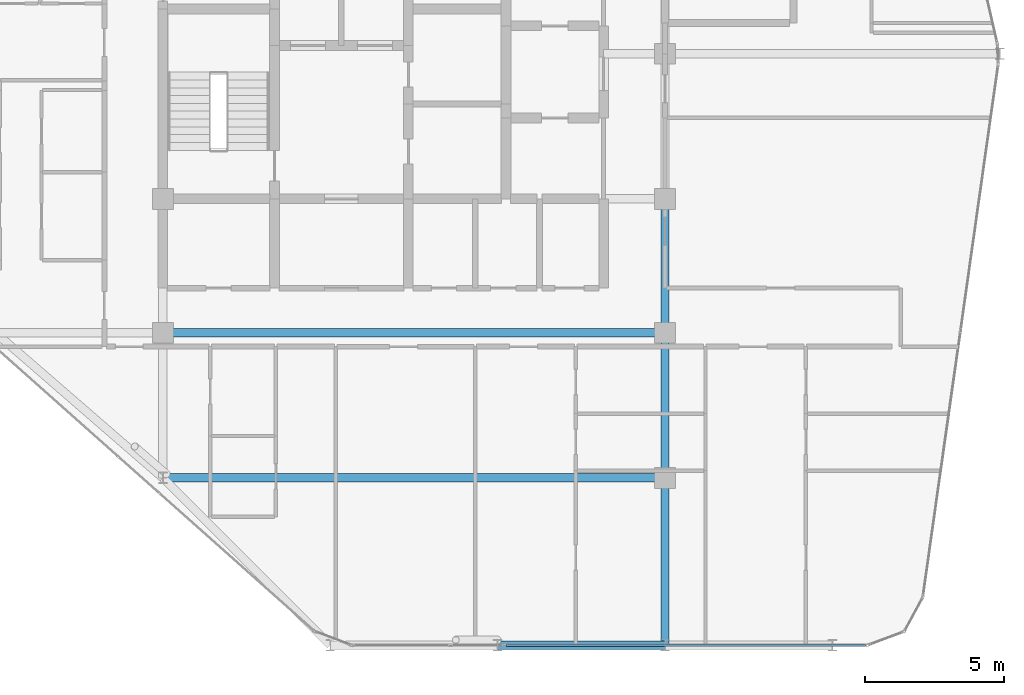
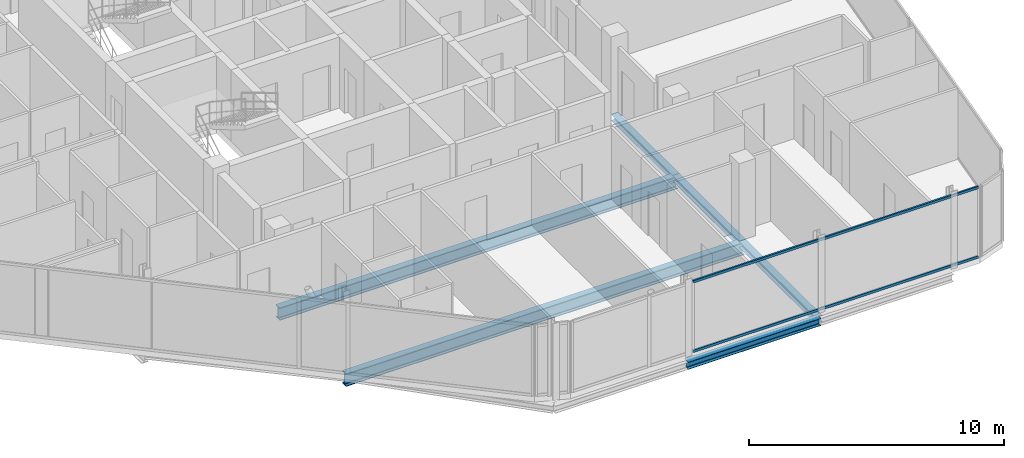
# One storey, part 7 of 27: 6 beams, 2 members, 1 element without a shape of its own.
"""IFC4 building model written with IfcOpenShell, lengths in metres."""

from ifc_helpers import new_model, si_unit, direction, frame, origin, origin_2d, place, context, subcontext, project, spatial, hollow_rectangle, i_section, extrude, material, layer, layer_set, material_profile, profile_set, type_object, element, aggregate, save


model = new_model("IFC4")

# Units and contexts
model_context = context("Model", 3, precision=1e-05, world=origin(), true_north=direction((0.0, 1.0)))
body_context = subcontext(model_context, "Body", "Model", "MODEL_VIEW")
ifc_project = project(units=[si_unit("LENGTHUNIT", "METRE"), si_unit("AREAUNIT", "SQUARE_METRE"), si_unit("VOLUMEUNIT", "CUBIC_METRE"), si_unit("PLANEANGLEUNIT", "RADIAN"), si_unit("MASSUNIT", "GRAM", prefix="KILO")], contexts=[model_context])

# Site, building, storey
site_placement = place(None, origin())
site = spatial("IfcSite", under=ifc_project, at=site_placement, CompositionType="ELEMENT")
building_placement = place(site_placement, origin())
building = spatial("IfcBuilding", under=site, at=building_placement, Name="Keshet Zoharim Tower", CompositionType="ELEMENT")
storey_placement = place(building_placement, frame((0.0, 0.0, 262.10009765625)))
storey = spatial("IfcBuildingStorey", under=building, at=storey_placement, Name="L65", CompositionType="ELEMENT", Elevation=262.10009765625)

# Beams
ifc_material_1 = material(Name="Steel S355", Category="steel")
ifc_material_profile_1 = material_profile(ifc_material_1, i_section(OverallWidth=0.300048828125, OverallDepth=0.60009765625, WebThickness=0.015380859375, FlangeThickness=0.030029296875, FilletRadius=0.027099609375, at=origin_2d()), Name="HEB600")
ifc_profile_set_1 = profile_set([ifc_material_profile_1], Name="Steel S355")
beam_type_1 = type_object("IfcBeamType", Name="BM-LNG-HB600", PredefinedType="BEAM", material=ifc_profile_set_1)
for number, where, z_axis, x_axis, name in (
    (1, (15.0, 12.699951171875, -0.610107421875), (1.0, 0.0, 0.0), (0.0, 1.0, 0.0), "L65 Primary Girder X-004"),
    (2, (15.0, 17.89990234375, -0.610107421875), (1.0, 0.0, 0.0), (0.0, 1.0, 0.0), "L65 Primary Girder X-006"),
):
    element("IfcBeam", number, at=place(storey_placement, frame(where, z_axis=z_axis, x_axis=x_axis)), inside=storey, type_object=beam_type_1, Name=name, PredefinedType="BEAM", context=body_context, shape_type="SweptSolid", body=[
        extrude(i_section(OverallWidth=0.300048828125, OverallDepth=0.60009765625, WebThickness=0.015380859375, FlangeThickness=0.030029296875, FilletRadius=0.027099609375, at=origin_2d()), origin(), (0.0, 0.0, 1.0), 18.0),
    ])
ifc_material_profile_2 = material_profile(ifc_material_1, i_section(OverallWidth=0.300048828125, OverallDepth=0.2900390625, WebThickness=0.008544921875, FlangeThickness=0.013916015625, FilletRadius=0.027099609375, at=origin_2d()), Name="HEA300")
ifc_profile_set_2 = profile_set([ifc_material_profile_2], Name="Steel S355")
beam_type_2 = type_object("IfcBeamType", Name="BM-PRI-HA300", PredefinedType="BEAM", material=ifc_profile_set_2)
beam_1_placement = place(storey_placement, frame((33.0, 6.699951171875, -0.455078125), z_axis=(0.0, 1.0, 0.0), x_axis=(-1.0, 0.0, 0.0)))
element("IfcBeam", 3, at=beam_1_placement, inside=storey, type_object=beam_type_2, Name="L65 Primary Girder Y-004", PredefinedType="BEAM", context=body_context, shape_type="SweptSolid", body=[
    extrude(i_section(OverallWidth=0.300048828125, OverallDepth=0.2900390625, WebThickness=0.008544921875, FlangeThickness=0.013916015625, FilletRadius=0.027099609375, at=origin_2d()), origin(), (0.0, 0.0, 1.0), 6.0),
])
beam_2_placement = place(storey_placement, frame((33.0, 12.699951171875, -0.455078125), z_axis=(0.0, 1.0, 0.0), x_axis=(-1.0, 0.0, 0.0)))
element("IfcBeam", 4, at=beam_2_placement, inside=storey, type_object=beam_type_2, Name="L65 Primary Girder Y-005", PredefinedType="BEAM", context=body_context, shape_type="SweptSolid", body=[
    extrude(i_section(OverallWidth=0.300048828125, OverallDepth=0.2900390625, WebThickness=0.008544921875, FlangeThickness=0.013916015625, FilletRadius=0.027099609375, at=origin_2d()), origin(), (0.0, 0.0, 1.0), 5.199951171875),
])
beam_3_placement = place(storey_placement, frame((33.0, 17.89990234375, -0.455078125), z_axis=(0.0, 1.0, 0.0), x_axis=(-1.0, 0.0, 0.0)))
element("IfcBeam", 5, at=beam_3_placement, inside=storey, type_object=beam_type_2, Name="L65 Primary Girder Y-006", PredefinedType="BEAM", context=body_context, shape_type="SweptSolid", body=[
    extrude(i_section(OverallWidth=0.300048828125, OverallDepth=0.2900390625, WebThickness=0.008544921875, FlangeThickness=0.013916015625, FilletRadius=0.027099609375, at=origin_2d()), origin(), (0.0, 0.0, 1.0), 4.800048828125),
])
ifc_material_profile_3 = material_profile(ifc_material_1, i_section(OverallWidth=0.300048828125, OverallDepth=0.35009765625, WebThickness=0.010009765625, FlangeThickness=0.017578125, FilletRadius=0.027099609375, at=origin_2d()), Name="HEA360")
ifc_profile_set_3 = profile_set([ifc_material_profile_3], Name="Steel S355")
beam_type_3 = type_object("IfcBeamType", Name="BM-PRI-HA360", PredefinedType="BEAM", material=ifc_profile_set_3)
beam_4_placement = place(storey_placement, frame((27.0, 6.699951171875, -0.485107421875), z_axis=(1.0, 0.0, 0.0), x_axis=(0.0, 1.0, 0.0)))
element("IfcBeam", 6, at=beam_4_placement, inside=storey, type_object=beam_type_3, Name="L65 Primary Girder X-002", PredefinedType="BEAM", context=body_context, shape_type="SweptSolid", body=[
    extrude(i_section(OverallWidth=0.300048828125, OverallDepth=0.35009765625, WebThickness=0.010009765625, FlangeThickness=0.017578125, FilletRadius=0.027099609375, at=origin_2d()), origin(), (0.0, 0.0, 1.0), 6.0),
])

# Curtain wall, members
ifc_material_2 = material(Name="Aluminium 6063-T6", Category="aluminium")
ifc_layer = layer(ifc_material_2, 0.260009765625)
ifc_layer_set = layer_set([ifc_layer], Name="Aluminium 6063-T6")
curtain_wall_type = type_object("IfcCurtainWallType", Name="CW-SYS-06", PredefinedType="NOTDEFINED", material=ifc_layer_set)
curtain_wall_placement = place(storey_placement, origin())
curtain_wall = element("IfcCurtainWall", 7, at=curtain_wall_placement, inside=storey, type_object=curtain_wall_type, Name="L65 Unitised Curtain Wall 14", PredefinedType="NOTDEFINED")
ifc_material_profile_4 = material_profile(ifc_material_2, hollow_rectangle(XDim=0.074951171875, YDim=0.1201171875, WallThickness=0.00390625, at=origin_2d()), Name="TRN-75x120")
ifc_profile_set_4 = profile_set([ifc_material_profile_4], Name="Aluminium 6063-T6")
member_type = type_object("IfcMemberType", Name="CWT-T12", PredefinedType="USERDEFINED", material=ifc_profile_set_4)
member_1_placement = place(storey_placement, frame((40.193115234375, 6.699951171875, 0.034912109375), z_axis=(-1.0, 0.0, 0.0), x_axis=(0.0, -1.0, 0.0)))
member_1 = element("IfcMember", 8, at=member_1_placement, type_object=member_type, Name="CW-06 transom 1.1", ObjectType="TRANSOM", PredefinedType="USERDEFINED", context=body_context, shape_type="SweptSolid", body=[
    extrude(hollow_rectangle(XDim=0.074951171875, YDim=0.1201171875, WallThickness=0.00390625, at=origin_2d()), origin(), (0.0, 0.0, 1.0), 12.898193359375),
])
member_2_placement = place(storey_placement, frame((40.193115234375, 6.699951171875, 3.35498046875), z_axis=(-1.0, 0.0, 0.0), x_axis=(0.0, -1.0, 0.0)))
member_2 = element("IfcMember", 9, at=member_2_placement, type_object=member_type, Name="CW-06 transom 1.2", ObjectType="TRANSOM", PredefinedType="USERDEFINED", context=body_context, shape_type="SweptSolid", body=[
    extrude(hollow_rectangle(XDim=0.074951171875, YDim=0.1201171875, WallThickness=0.00390625, at=origin_2d()), origin(), (0.0, 0.0, 1.0), 12.898193359375),
])
aggregate(curtain_wall, [member_1, member_2])

save(model, "model.ifc")
